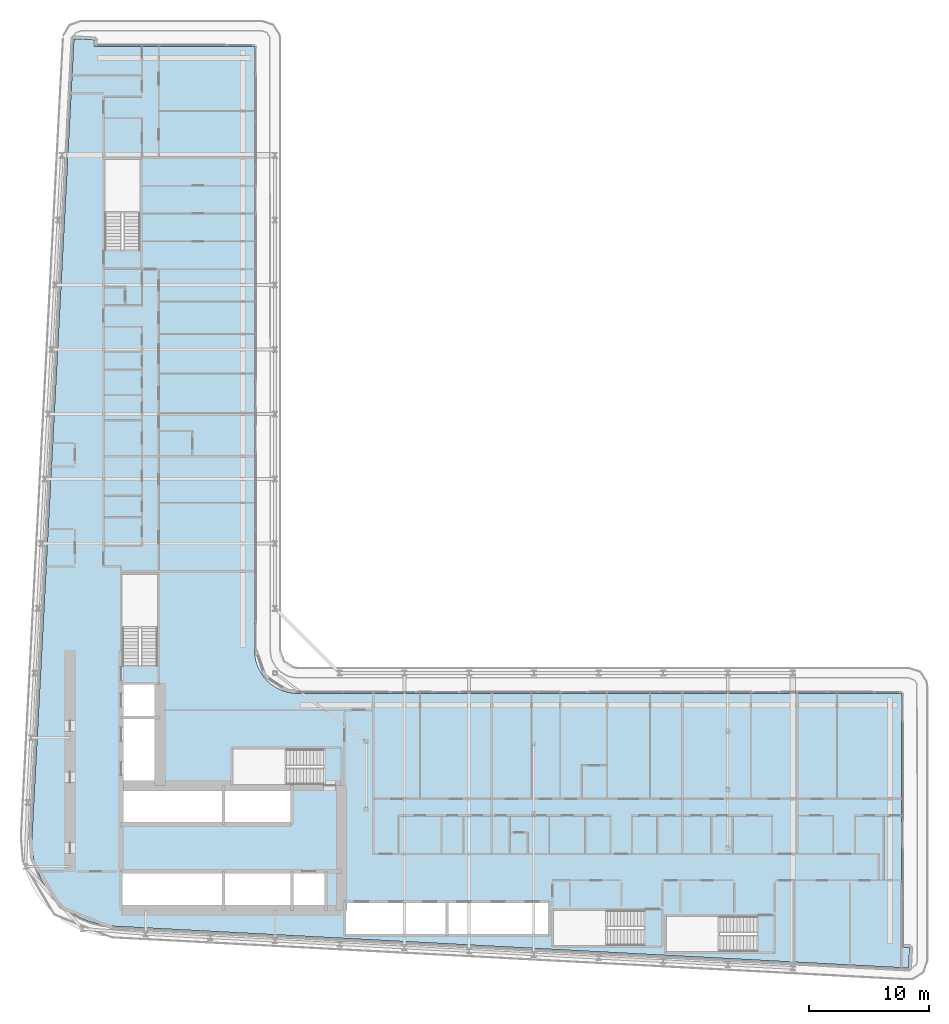
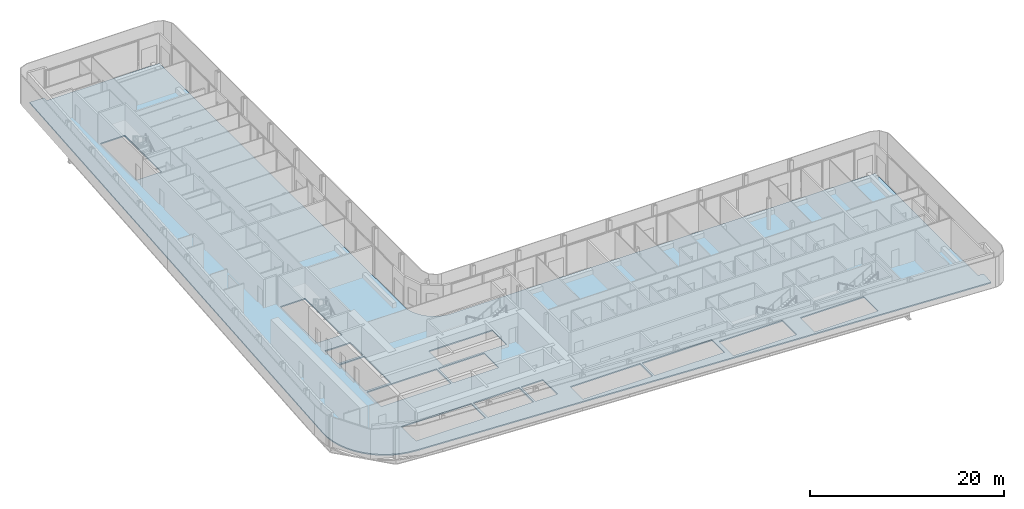
# One storey, part 11 of 28: 1 slab.
"""IFC4 building model written with IfcOpenShell, lengths in metres."""

from ifc_helpers import new_model, si_unit, direction, frame, origin, place, context, subcontext, project, spatial, polyline, outline, extrude, material, layer, layer_set, type_object, element, save


model = new_model("IFC4")

# Units and contexts
model_context = context("Model", 3, precision=1e-05, world=origin(), true_north=direction((0.0, 1.0)))
body_context = subcontext(model_context, "Body", "Model", "MODEL_VIEW")
ifc_project = project(units=[si_unit("LENGTHUNIT", "METRE"), si_unit("AREAUNIT", "SQUARE_METRE"), si_unit("VOLUMEUNIT", "CUBIC_METRE"), si_unit("PLANEANGLEUNIT", "RADIAN"), si_unit("MASSUNIT", "GRAM", prefix="KILO")], contexts=[model_context])

# Site, building, storey
site_placement = place(None, origin())
site = spatial("IfcSite", under=ifc_project, at=site_placement, CompositionType="ELEMENT")
building_placement = place(site_placement, origin())
building = spatial("IfcBuilding", under=site, at=building_placement, Name="Kheshtan School and Residences Tower", CompositionType="ELEMENT")
storey_placement = place(building_placement, frame((0.0, 0.0, 133.10009765625)))
storey = spatial("IfcBuildingStorey", under=building, at=storey_placement, Name="L31", CompositionType="ELEMENT", Elevation=133.10009765625)

# Slab
ifc_material = material(Name="Concrete C40/50", Category="concrete")
ifc_layer = layer(ifc_material, 0.14990234375)
ifc_layer_set = layer_set([ifc_layer], Name="Floor slab 150 Concrete C40/50")
slab_type = type_object("IfcSlabType", Name="Floor slab 150 Concrete C40/50", PredefinedType="FLOOR", material=ifc_layer_set)
slab_placement = place(storey_placement, frame((0.0, 0.0, -0.150146484375)))
element("IfcSlab", 1, at=slab_placement, inside=storey, type_object=slab_type, Name="Floor slab L31", PredefinedType="FLOOR", context=body_context, shape_type="SweptSolid", body=[
    extrude(outline(polyline([(27.718017578125, 29.200927734375), (27.466064453125, 30.093017578125), (27.466064453125, 30.093994140625), (27.3330078125, 31.013916015625), (27.320068359375, 31.965087890625), (27.320068359375, 31.970947265625), (30.822021484375, 98.5009765625), (30.822998046875, 98.508056640625), (30.825927734375, 98.531005859375), (30.825927734375, 98.531982421875), (30.826904296875, 98.531982421875), (31.422119140625, 98.5), (31.423095703125, 98.5), (31.423095703125, 98.4990234375), (31.423095703125, 98.4951171875), (31.423095703125, 98.493896484375), (31.424072265625, 98.493896484375), (31.424072265625, 98.492919921875), (31.425048828125, 98.492919921875), (31.426025390625, 98.492919921875), (31.426025390625, 98.493896484375), (31.427978515625, 98.49609375), (31.428955078125, 98.4970703125), (31.429931640625, 98.498046875), (31.430908203125, 98.498046875), (31.430908203125, 98.4990234375), (31.431884765625, 98.4990234375), (31.431884765625, 98.5), (31.43505859375, 98.5009765625), (31.43603515625, 98.501953125), (31.43896484375, 98.501953125), (31.43994140625, 98.501953125), (31.43994140625, 98.5029296875), (31.44091796875, 98.5029296875), (31.446044921875, 98.5029296875), (32.5009765625, 98.447021484375), (32.50390625, 98.447021484375), (32.5048828125, 98.447021484375), (32.5048828125, 98.446044921875), (32.506103515625, 98.446044921875), (32.510009765625, 98.446044921875), (32.510009765625, 98.445068359375), (32.510986328125, 98.445068359375), (32.510986328125, 98.444091796875), (32.511962890625, 98.444091796875), (32.511962890625, 98.443115234375), (32.512939453125, 98.443115234375), (32.513916015625, 98.443115234375), (32.513916015625, 98.44189453125), (32.514892578125, 98.44189453125), (32.51611328125, 98.44189453125), (32.51904296875, 98.43896484375), (32.51904296875, 98.43798828125), (32.51904296875, 98.43701171875), (32.52001953125, 98.43701171875), (32.52001953125, 98.43603515625), (32.52099609375, 98.43603515625), (32.52099609375, 98.43408203125), (32.52099609375, 98.43310546875), (32.52197265625, 98.43310546875), (32.52197265625, 98.431884765625), (32.52294921875, 98.431884765625), (32.52294921875, 98.430908203125), (32.52294921875, 98.428955078125), (32.52294921875, 98.427978515625), (32.52392578125, 98.427978515625), (32.52392578125, 98.427001953125), (32.52392578125, 98.422119140625), (32.4970703125, 97.9208984375), (32.4970703125, 97.91796875), (32.4970703125, 97.9169921875), (32.49609375, 97.9169921875), (32.49609375, 97.916015625), (32.49609375, 97.912109375), (32.4951171875, 97.910888671875), (32.4951171875, 97.909912109375), (32.493896484375, 97.909912109375), (32.493896484375, 97.908935546875), (32.492919921875, 97.908935546875), (32.492919921875, 97.907958984375), (32.489013671875, 97.904052734375), (32.488037109375, 97.904052734375), (32.488037109375, 97.903076171875), (32.488037109375, 97.902099609375), (32.488037109375, 97.90087890625), (32.489013671875, 97.90087890625), (32.489013671875, 97.89990234375), (32.489990234375, 97.89990234375), (45.85498046875, 97.89990234375), (45.864990234375, 97.89794921875), (45.865966796875, 97.89794921875), (45.868896484375, 97.89599609375), (45.8740234375, 97.89404296875), (45.8779296875, 97.89208984375), (45.881103515625, 97.889892578125), (45.881103515625, 97.888916015625), (45.882080078125, 97.888916015625), (45.882080078125, 97.887939453125), (45.883056640625, 97.887939453125), (45.884033203125, 97.885009765625), (45.885009765625, 97.885009765625), (45.885009765625, 97.884033203125), (45.887939453125, 97.883056640625), (45.887939453125, 97.882080078125), (45.888916015625, 97.882080078125), (45.888916015625, 97.881103515625), (45.889892578125, 97.881103515625), (45.89208984375, 97.8779296875), (45.89404296875, 97.8740234375), (45.89599609375, 97.868896484375), (45.89794921875, 97.865966796875), (45.89794921875, 97.864990234375), (45.89990234375, 97.85498046875), (45.89990234375, 47.429931640625), (45.927001953125, 47.030029296875), (46.01806640625, 46.570068359375), (46.01806640625, 46.569091796875), (46.169921875, 46.1201171875), (46.37890625, 45.697021484375), (46.638916015625, 45.30810546875), (46.949951171875, 44.950927734375), (46.950927734375, 44.949951171875), (47.30810546875, 44.638916015625), (47.697021484375, 44.37890625), (48.1201171875, 44.169921875), (48.569091796875, 44.01806640625), (48.570068359375, 44.01806640625), (49.030029296875, 43.927001953125), (49.429931640625, 43.89990234375), (99.85498046875, 43.89990234375), (99.864990234375, 43.89794921875), (99.865966796875, 43.89794921875), (99.868896484375, 43.89599609375), (99.8740234375, 43.89404296875), (99.8779296875, 43.89208984375), (99.881103515625, 43.889892578125), (99.881103515625, 43.888916015625), (99.882080078125, 43.888916015625), (99.882080078125, 43.887939453125), (99.883056640625, 43.887939453125), (99.884033203125, 43.885009765625), (99.885009765625, 43.885009765625), (99.885009765625, 43.884033203125), (99.887939453125, 43.883056640625), (99.887939453125, 43.882080078125), (99.888916015625, 43.882080078125), (99.888916015625, 43.881103515625), (99.889892578125, 43.881103515625), (99.89208984375, 43.8779296875), (99.89404296875, 43.8740234375), (99.89599609375, 43.868896484375), (99.89794921875, 43.865966796875), (99.89794921875, 43.864990234375), (99.89990234375, 43.85498046875), (99.89990234375, 22.708984375), (99.89990234375, 22.7080078125), (99.90087890625, 22.7080078125), (99.90087890625, 22.70703125), (99.902099609375, 22.70703125), (99.903076171875, 22.70703125), (99.903076171875, 22.7080078125), (99.905029296875, 22.7099609375), (99.906982421875, 22.7119140625), (99.907958984375, 22.7119140625), (99.907958984375, 22.712890625), (99.908935546875, 22.712890625), (99.908935546875, 22.714111328125), (99.909912109375, 22.714111328125), (99.912109375, 22.715087890625), (99.9130859375, 22.716064453125), (99.916015625, 22.716064453125), (99.9169921875, 22.716064453125), (99.9169921875, 22.717041015625), (99.91796875, 22.717041015625), (99.923095703125, 22.717041015625), (100.5380859375, 22.68408203125), (100.541015625, 22.68408203125), (100.5419921875, 22.68408203125), (100.5419921875, 22.68310546875), (100.54296875, 22.68310546875), (100.547119140625, 22.68310546875), (100.547119140625, 22.681884765625), (100.548095703125, 22.681884765625), (100.548095703125, 22.680908203125), (100.549072265625, 22.680908203125), (100.549072265625, 22.679931640625), (100.550048828125, 22.679931640625), (100.551025390625, 22.679931640625), (100.551025390625, 22.678955078125), (100.552001953125, 22.678955078125), (100.552978515625, 22.678955078125), (100.552978515625, 22.677978515625), (100.554931640625, 22.676025390625), (100.555908203125, 22.676025390625), (100.555908203125, 22.675048828125), (100.555908203125, 22.674072265625), (100.556884765625, 22.674072265625), (100.556884765625, 22.673095703125), (100.55810546875, 22.673095703125), (100.55810546875, 22.6708984375), (100.55810546875, 22.669921875), (100.55908203125, 22.669921875), (100.55908203125, 22.6689453125), (100.56005859375, 22.6689453125), (100.56005859375, 22.66796875), (100.56005859375, 22.666015625), (100.56005859375, 22.6650390625), (100.56103515625, 22.6650390625), (100.56103515625, 22.6640625), (100.56103515625, 22.658935546875), (100.5048828125, 21.60205078125), (100.5048828125, 21.59912109375), (100.5048828125, 21.597900390625), (100.50390625, 21.597900390625), (100.50390625, 21.596923828125), (100.50390625, 21.593017578125), (100.5029296875, 21.592041015625), (100.5029296875, 21.591064453125), (100.501953125, 21.591064453125), (100.501953125, 21.590087890625), (100.5009765625, 21.590087890625), (100.5009765625, 21.589111328125), (100.5, 21.587890625), (100.498046875, 21.5859375), (100.4970703125, 21.5849609375), (100.49609375, 21.5849609375), (100.49609375, 21.583984375), (100.49609375, 21.5830078125), (100.49609375, 21.58203125), (100.4970703125, 21.58203125), (100.4970703125, 21.5810546875), (100.498046875, 21.5810546875), (100.4990234375, 21.5810546875), (100.5, 21.5810546875), (100.5, 21.580078125), (100.468017578125, 20.985107421875), (100.468017578125, 20.98388671875), (100.467041015625, 20.98388671875), (100.443115234375, 20.98291015625), (100.43798828125, 20.98291015625), (34.056884765625, 24.47802734375), (33.114990234375, 24.590087890625), (32.215087890625, 24.819091796875), (32.214111328125, 24.819091796875), (31.35205078125, 25.1630859375), (30.541015625, 25.616943359375), (29.799072265625, 26.1708984375), (29.799072265625, 26.172119140625), (29.798095703125, 26.172119140625), (29.134033203125, 26.820068359375), (29.134033203125, 26.821044921875), (29.133056640625, 26.821044921875), (28.55908203125, 27.550048828125), (28.0849609375, 28.345947265625), (27.718017578125, 29.200927734375)]), holes=[polyline([(99.89990234375, 21.5869140625), (99.89990234375, 21.5830078125), (99.89990234375, 21.58203125), (99.90087890625, 21.58203125), (99.90087890625, 21.5810546875), (99.902099609375, 21.5810546875), (99.906005859375, 21.5810546875), (99.906982421875, 21.5810546875), (99.906982421875, 21.58203125), (99.907958984375, 21.58203125), (99.907958984375, 21.5830078125), (99.907958984375, 21.583984375), (99.906982421875, 21.583984375), (99.905029296875, 21.5859375), (99.904052734375, 21.5869140625), (99.903076171875, 21.587890625), (99.903076171875, 21.589111328125), (99.902099609375, 21.589111328125), (99.90087890625, 21.589111328125), (99.90087890625, 21.587890625), (99.89990234375, 21.587890625), (99.89990234375, 21.5869140625)]), polyline([(31.423095703125, 97.906005859375), (31.423095703125, 97.902099609375), (31.423095703125, 97.90087890625), (31.424072265625, 97.90087890625), (31.424072265625, 97.89990234375), (31.425048828125, 97.89990234375), (31.428955078125, 97.89990234375), (31.429931640625, 97.89990234375), (31.429931640625, 97.90087890625), (31.430908203125, 97.90087890625), (31.430908203125, 97.902099609375), (31.430908203125, 97.903076171875), (31.429931640625, 97.903076171875), (31.428955078125, 97.904052734375), (31.427978515625, 97.905029296875), (31.427001953125, 97.906005859375), (31.426025390625, 97.906982421875), (31.426025390625, 97.907958984375), (31.425048828125, 97.907958984375), (31.424072265625, 97.907958984375), (31.424072265625, 97.906982421875), (31.423095703125, 97.906982421875), (31.423095703125, 97.906005859375)]), polyline([(34.875, 28.925048828125), (34.875, 25.925048828125), (43.175048828125, 25.925048828125), (43.175048828125, 28.925048828125), (34.875, 28.925048828125)]), polyline([(43.425048828125, 25.925048828125), (48.875, 25.925048828125), (48.875, 28.925048828125), (43.425048828125, 28.925048828125), (43.425048828125, 25.925048828125)]), polyline([(43.175048828125, 36.074951171875), (34.875, 36.074951171875), (34.875, 33.074951171875), (43.175048828125, 33.074951171875), (43.175048828125, 36.074951171875)]), polyline([(34.875, 41.77490234375), (34.875, 36.324951171875), (37.875, 36.324951171875), (37.875, 41.77490234375), (34.875, 41.77490234375)]), polyline([(34.875, 44.625), (34.875, 42.02490234375), (37.875, 42.02490234375), (37.875, 44.625), (34.875, 44.625)]), polyline([(37.800048828125, 46.25), (37.800048828125, 53.81005859375), (34.85009765625, 53.81005859375), (34.85009765625, 46.260009765625), (36.25, 46.260009765625), (36.25, 46.25), (37.800048828125, 46.25)]), polyline([(33.39990234375, 88.4599609375), (33.39990234375, 80.909912109375), (34.800048828125, 80.909912109375), (34.800048828125, 80.89990234375), (36.35009765625, 80.89990234375), (36.35009765625, 88.4599609375), (33.39990234375, 88.4599609375)]), polyline([(87.81005859375, 22.35009765625), (87.81005859375, 23.75), (87.820068359375, 23.75), (87.820068359375, 25.300048828125), (80.260009765625, 25.300048828125), (80.260009765625, 22.35009765625), (87.81005859375, 22.35009765625)]), polyline([(70.85009765625, 22.85009765625), (78.39990234375, 22.85009765625), (78.39990234375, 24.25), (78.409912109375, 24.25), (78.409912109375, 25.800048828125), (70.85009765625, 25.800048828125), (70.85009765625, 22.85009765625)]), polyline([(61.824951171875, 26.425048828125), (53.52490234375, 26.425048828125), (53.52490234375, 23.824951171875), (61.824951171875, 23.824951171875), (61.824951171875, 26.425048828125)]), polyline([(62.074951171875, 23.824951171875), (70.375, 23.824951171875), (70.375, 26.425048828125), (62.074951171875, 26.425048828125), (62.074951171875, 23.824951171875)]), polyline([(49.125, 28.925048828125), (49.125, 25.925048828125), (51.72509765625, 25.925048828125), (51.72509765625, 28.925048828125), (49.125, 28.925048828125)]), polyline([(43.425048828125, 33.074951171875), (48.875, 33.074951171875), (48.875, 36.074951171875), (43.425048828125, 36.074951171875), (43.425048828125, 33.074951171875)]), polyline([(51.64990234375, 39.25), (44.090087890625, 39.25), (44.090087890625, 36.300048828125), (51.639892578125, 36.300048828125), (51.639892578125, 37.699951171875), (51.64990234375, 37.699951171875), (51.64990234375, 39.25)])]), origin(), (0.0, 0.0, 1.0), 0.150146484375),
])

save(model, "model.ifc")
